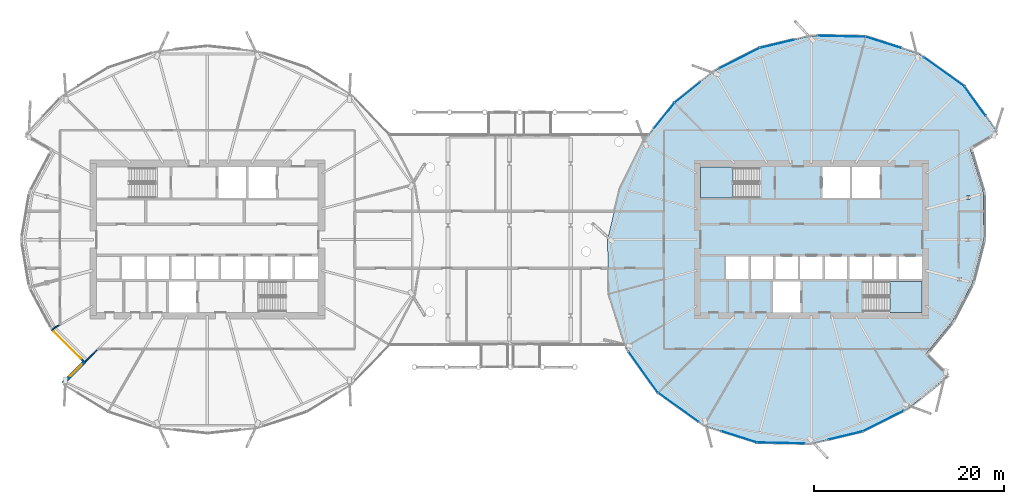
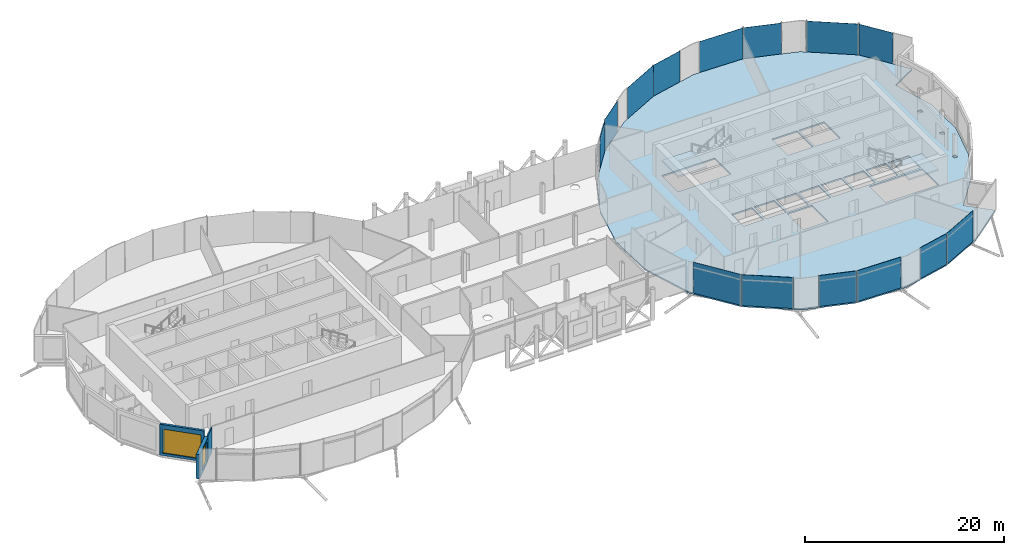
# One storey, part 23 of 39: 14 plates, 4 walls, 3 slabs, 2 windows, 2 openings, 3 elements without a shape of their own.
"""IFC4 building model written with IfcOpenShell, lengths in metres."""

from ifc_helpers import new_model, si_unit, direction, frame, frame_2d, origin, origin_2d, place, context, subcontext, project, spatial, polyline, rectangle, outline, extrude, material, layer, layer_set, type_object, element, fill, aggregate, save


model = new_model("IFC4")

# Units and contexts
model_context = context("Model", 3, precision=1e-05, world=origin(), true_north=direction((0.0, 1.0)))
body_context = subcontext(model_context, "Body", "Model", "MODEL_VIEW")
ifc_project = project(units=[si_unit("LENGTHUNIT", "METRE"), si_unit("AREAUNIT", "SQUARE_METRE"), si_unit("VOLUMEUNIT", "CUBIC_METRE"), si_unit("PLANEANGLEUNIT", "RADIAN"), si_unit("MASSUNIT", "GRAM", prefix="KILO")], contexts=[model_context])

# Site, building, storey
site_placement = place(None, origin())
site = spatial("IfcSite", under=ifc_project, at=site_placement, CompositionType="ELEMENT")
building_placement = place(site_placement, origin())
building = spatial("IfcBuilding", under=site, at=building_placement, Name="Rimbun Link Towers", CompositionType="ELEMENT")
storey_placement = place(building_placement, frame((0.0, 0.0, 143.0)))
storey = spatial("IfcBuildingStorey", under=building, at=storey_placement, Name="L34", CompositionType="ELEMENT", Elevation=143.0)

# Slab
ifc_material_1 = material(Name="Concrete C35/45", Category="concrete")
ifc_layer_1 = layer(ifc_material_1, 0.179931640625)
ifc_layer_set_1 = layer_set([ifc_layer_1], Name="COMPOSITE FLOOR 180")
slab_type_1 = type_object("IfcSlabType", Name="COMPOSITE FLOOR 180", PredefinedType="FLOOR", material=ifc_layer_set_1)
slab_1_placement = place(storey_placement, frame((0.0, 0.0, -0.179931640625)))
element("IfcSlab", 1, at=slab_1_placement, inside=storey, type_object=slab_type_1, Name="Floor slab T2 L34", PredefinedType="FLOOR", context=body_context, shape_type="SweptSolid", body=[
    extrude(outline(polyline([(41.9775390625, -17.714599609375), (37.146728515625, -20.140625), (31.75, -21.43115234375), (26.039794921875, -21.310791015625), (20.468994140625, -19.539306640625), (15.660888671875, -16.089111328125), (12.210693359375, -11.281005859375), (10.439208984375, -5.710205078125), (10.31884765625, 0.0), (11.609375, 5.396728515625), (14.035400390625, 10.2275390625), (17.384765625, 14.365234375), (21.5224609375, 17.714599609375), (26.353271484375, 20.140625), (31.75, 21.43115234375), (37.460205078125, 21.310791015625), (43.031005859375, 19.539306640625), (47.839111328125, 16.089111328125), (51.289306640625, 11.281005859375), (48.431396484375, 9.631103515625), (49.873291015625, 4.856201171875), (49.881103515625, 0.0), (48.702880859375, -4.54248046875), (46.606689453125, -8.577392578125), (43.78173828125, -12.03173828125), (46.115234375, -14.365234375), (41.9775390625, -17.714599609375)]), holes=[polyline([(30.60009765625, -7.64990234375), (30.60009765625, -4.39990234375), (27.699951171875, -4.39990234375), (27.699951171875, -7.64990234375), (30.60009765625, -7.64990234375)]), polyline([(25.138916015625, -4.14990234375), (25.138916015625, -1.75), (22.79443359375, -1.75), (22.79443359375, -4.14990234375), (25.138916015625, -4.14990234375)]), polyline([(27.7333984375, -4.14990234375), (27.7333984375, -1.75), (25.388916015625, -1.75), (25.388916015625, -4.14990234375), (27.7333984375, -4.14990234375)]), polyline([(30.327880859375, -4.14990234375), (30.327880859375, -1.75), (27.9833984375, -1.75), (27.9833984375, -4.14990234375), (30.327880859375, -4.14990234375)]), polyline([(32.922119140625, -4.14990234375), (32.922119140625, -1.75), (30.577880859375, -1.75), (30.577880859375, -4.14990234375), (32.922119140625, -4.14990234375)]), polyline([(35.5166015625, -4.14990234375), (35.5166015625, -1.75), (33.172119140625, -1.75), (33.172119140625, -4.14990234375), (35.5166015625, -4.14990234375)]), polyline([(26.239990234375, 4.39990234375), (26.239990234375, 7.64990234375), (20.10009765625, 7.64990234375), (20.10009765625, 4.39990234375), (26.239990234375, 4.39990234375)]), polyline([(35.800048828125, 4.39990234375), (35.800048828125, 7.64990234375), (32.89990234375, 7.64990234375), (32.89990234375, 4.39990234375), (35.800048828125, 4.39990234375)]), polyline([(43.39990234375, -7.64990234375), (43.39990234375, -4.39990234375), (37.260009765625, -4.39990234375), (37.260009765625, -7.64990234375), (43.39990234375, -7.64990234375)]), polyline([(47.5166015625, -4.367919921875), (47.5166015625, -3.974365234375), (47.11767578125, -3.974365234375), (47.11767578125, -4.367919921875), (47.5166015625, -4.367919921875)]), polyline([(38.111083984375, -4.14990234375), (38.111083984375, -1.75), (35.7666015625, -1.75), (35.7666015625, -4.14990234375), (38.111083984375, -4.14990234375)]), polyline([(40.70556640625, -4.14990234375), (40.70556640625, -1.75), (38.361083984375, -1.75), (38.361083984375, -4.14990234375), (40.70556640625, -4.14990234375)]), polyline([(43.39990234375, -4.14990234375), (43.39990234375, -1.75), (40.95556640625, -1.75), (40.95556640625, -4.14990234375), (43.39990234375, -4.14990234375)]), polyline([(48.435546875, -0.19677734375), (48.435546875, 0.19677734375), (48.03662109375, 0.19677734375), (48.03662109375, -0.19677734375), (48.435546875, -0.19677734375)]), polyline([(48.450927734375, 4.224609375), (48.450927734375, 4.618408203125), (48.052001953125, 4.618408203125), (48.052001953125, 4.224609375), (48.450927734375, 4.224609375)]), polyline([(38.949951171875, 4.39990234375), (38.949951171875, 7.64990234375), (36.050048828125, 7.64990234375), (36.050048828125, 4.39990234375), (38.949951171875, 4.39990234375)])]), origin(), (0.0, 0.0, 1.0), 0.179931640625),
])

# Curtain wall, plates
ifc_material_2 = material(Name="Aluminium 6063-T6 and low-iron glass", Category="aluminium")
curtain_wall_type = type_object("IfcCurtainWallType", Name="CW4 link block wall", PredefinedType="NOTDEFINED", material=ifc_material_2)
curtain_wall_placement = place(storey_placement, origin())
curtain_wall = element("IfcCurtainWall", 2, at=curtain_wall_placement, inside=storey, type_object=curtain_wall_type, Name="CW4 L34 T2", PredefinedType="NOTDEFINED")
ifc_material_3 = material(Name="Low-iron glass, laminated low-e unit", Category="glass")
ifc_layer_2 = layer(ifc_material_3, 0.028076171875)
ifc_layer_set_2 = layer_set([ifc_layer_2], Name="CW4 panel Low-iron glass 28")
plate_type = type_object("IfcPlateType", Name="CW4 panel Low-iron glass 28", PredefinedType="CURTAIN_PANEL", material=ifc_layer_set_2)
plate_1_placement = place(storey_placement, frame((45.707275390625, 17.635986328125, 0.0), z_axis=(0.0, 0.0, 1.0), x_axis=(0.81246534364, -0.58300948996, 0.0)))
plate_1 = element("IfcPlate", 3, at=plate_1_placement, type_object=plate_type, Name="CW4 panel", PredefinedType="CURTAIN_PANEL", context=body_context, shape_type="SweptSolid", body=[
    extrude(rectangle(XDim=5.22802734375, YDim=0.028076171875, at=origin_2d()), origin(), (0.0, 0.0, 1.0), 3.800048828125),
])
plate_2_placement = place(storey_placement, frame((39.344482421875, 20.726318359375, 0.0), z_axis=(0.0, 0.0, 1.0), x_axis=(0.952971600555, -0.303059612182, 0.0)))
plate_2 = element("IfcPlate", 4, at=plate_2_placement, type_object=plate_type, Name="CW4 panel", PredefinedType="CURTAIN_PANEL", context=body_context, shape_type="SweptSolid", body=[
    extrude(rectangle(XDim=3.90576171875, YDim=0.028076171875, at=origin_2d()), origin(), (0.0, 0.0, 1.0), 3.800048828125),
])
plate_3_placement = place(storey_placement, frame((34.930419921875, 21.378173828125, 0.0), z_axis=(0.0, 0.0, 1.0), x_axis=(0.999778152734, -0.021062889527, 0.0)))
plate_3 = element("IfcPlate", 5, at=plate_3_placement, type_object=plate_type, Name="CW4 panel", PredefinedType="CURTAIN_PANEL", context=body_context, shape_type="SweptSolid", body=[
    extrude(rectangle(XDim=5.021484375, YDim=0.028076171875, at=origin_2d()), origin(), (0.0, 0.0, 1.0), 3.800048828125),
])
plate_4_placement = place(storey_placement, frame((28.148681640625, 20.58447265625, 0.0), z_axis=(0.0, 0.0, 1.0), x_axis=(0.972575435448, 0.232587665973, 0.0)))
plate_4 = element("IfcPlate", 6, at=plate_4_placement, type_object=plate_type, Name="CW4 panel", PredefinedType="CURTAIN_PANEL", context=body_context, shape_type="SweptSolid", body=[
    extrude(rectangle(XDim=3.658935546875, YDim=0.028076171875, at=origin_2d()), origin(), (0.0, 0.0, 1.0), 3.800048828125),
])
plate_5_placement = place(storey_placement, frame((24.19970703125, 19.07470703125, 0.0), z_axis=(0.0, 0.0, 1.0), x_axis=(0.893641464981, 0.448781608432, 0.0)))
plate_5 = element("IfcPlate", 7, at=plate_5_placement, type_object=plate_type, Name="CW4 panel", PredefinedType="CURTAIN_PANEL", context=body_context, shape_type="SweptSolid", body=[
    extrude(rectangle(XDim=4.765869140625, YDim=0.028076171875, at=origin_2d()), origin(), (0.0, 0.0, 1.0), 3.800048828125),
])
plate_6_placement = place(storey_placement, frame((18.725830078125, 15.46875, 0.0), z_axis=(0.0, 0.0, 1.0), x_axis=(0.777276803841, 0.629158779809, 0.0)))
plate_6 = element("IfcPlate", 8, at=plate_6_placement, type_object=plate_type, Name="CW4 panel", PredefinedType="CURTAIN_PANEL", context=body_context, shape_type="SweptSolid", body=[
    extrude(rectangle(XDim=3.433349609375, YDim=0.028076171875, at=origin_2d()), origin(), (0.0, 0.0, 1.0), 3.800048828125),
])
plate_7_placement = place(storey_placement, frame((16.296875, 13.043701171875, 0.0), z_axis=(0.0, 0.0, 1.0), x_axis=(0.629158779809, 0.777276803841, 0.0)))
plate_7 = element("IfcPlate", 9, at=plate_7_placement, type_object=plate_type, Name="CW4 panel", PredefinedType="CURTAIN_PANEL", context=body_context, shape_type="SweptSolid", body=[
    extrude(rectangle(XDim=3.383544921875, YDim=0.028076171875, at=origin_2d()), origin(), (0.0, 0.0, 1.0), 3.800048828125),
])
plate_8_placement = place(storey_placement, frame((14.099365234375, -13.93701171875, 0.0), z_axis=(0.0, 0.0, 1.0), x_axis=(-0.58300948996, 0.81246534364, 0.0)))
plate_8 = element("IfcPlate", 10, at=plate_8_placement, type_object=plate_type, Name="CW4 panel", PredefinedType="CURTAIN_PANEL", context=body_context, shape_type="SweptSolid", body=[
    extrude(rectangle(XDim=5.27783203125, YDim=0.028076171875, at=origin_2d()), origin(), (0.0, 0.0, 1.0), 3.800048828125),
])
plate_9_placement = place(storey_placement, frame((17.792724609375, -17.635986328125, 0.0), z_axis=(0.0, 0.0, 1.0), x_axis=(-0.81246534364, 0.58300948996, 0.0)))
plate_9 = element("IfcPlate", 11, at=plate_9_placement, type_object=plate_type, Name="CW4 panel", PredefinedType="CURTAIN_PANEL", context=body_context, shape_type="SweptSolid", body=[
    extrude(rectangle(XDim=5.22802734375, YDim=0.028076171875, at=origin_2d()), origin(), (0.0, 0.0, 1.0), 3.800048828125),
])
plate_10_placement = place(storey_placement, frame((24.155517578125, -20.726318359375, 0.0), z_axis=(0.0, 0.0, 1.0), x_axis=(-0.952971600555, 0.303059612182, 0.0)))
plate_10 = element("IfcPlate", 12, at=plate_10_placement, type_object=plate_type, Name="CW4 panel", PredefinedType="CURTAIN_PANEL", context=body_context, shape_type="SweptSolid", body=[
    extrude(rectangle(XDim=3.90576171875, YDim=0.028076171875, at=origin_2d()), origin(), (0.0, 0.0, 1.0), 3.800048828125),
])
plate_11_placement = place(storey_placement, frame((28.569580078125, -21.378173828125, 0.0), z_axis=(0.0, 0.0, 1.0), x_axis=(-0.999778152734, 0.021062889527, 0.0)))
plate_11 = element("IfcPlate", 13, at=plate_11_placement, type_object=plate_type, Name="CW4 panel", PredefinedType="CURTAIN_PANEL", context=body_context, shape_type="SweptSolid", body=[
    extrude(rectangle(XDim=5.021484375, YDim=0.028076171875, at=origin_2d()), origin(), (0.0, 0.0, 1.0), 3.800048828125),
])
plate_12_placement = place(storey_placement, frame((35.351318359375, -20.58447265625, 0.0), z_axis=(0.0, 0.0, 1.0), x_axis=(-0.972575435448, -0.232587665973, 0.0)))
plate_12 = element("IfcPlate", 14, at=plate_12_placement, type_object=plate_type, Name="CW4 panel", PredefinedType="CURTAIN_PANEL", context=body_context, shape_type="SweptSolid", body=[
    extrude(rectangle(XDim=3.658935546875, YDim=0.028076171875, at=origin_2d()), origin(), (0.0, 0.0, 1.0), 3.800048828125),
])
plate_13_placement = place(storey_placement, frame((39.30029296875, -19.07470703125, 0.0), z_axis=(0.0, 0.0, 1.0), x_axis=(-0.893641464981, -0.448781608432, 0.0)))
plate_13 = element("IfcPlate", 15, at=plate_13_placement, type_object=plate_type, Name="CW4 panel", PredefinedType="CURTAIN_PANEL", context=body_context, shape_type="SweptSolid", body=[
    extrude(rectangle(XDim=4.765869140625, YDim=0.028076171875, at=origin_2d()), origin(), (0.0, 0.0, 1.0), 3.800048828125),
])
plate_14_placement = place(storey_placement, frame((48.96337890625, 14.54638671875, 0.0), z_axis=(0.0, 0.0, 1.0), x_axis=(0.58300948996, -0.81246534364, 0.0)))
plate_14 = element("IfcPlate", 16, at=plate_14_placement, type_object=plate_type, Name="CW4 panel", PredefinedType="CURTAIN_PANEL", context=body_context, shape_type="SweptSolid", body=[
    extrude(rectangle(XDim=3.77783203125, YDim=0.028076171875, at=origin_2d()), origin(), (0.0, 0.0, 1.0), 3.800048828125),
])
aggregate(curtain_wall, [plate_1, plate_2, plate_3, plate_4, plate_5, plate_6, plate_7, plate_8, plate_9, plate_10, plate_11, plate_12, plate_13, plate_14])

# Stair, slab
ifc_material_4 = material(Name="Concrete C40/50", Category="concrete")
stair_type = type_object("IfcStairType", Name="Exit stair 3800 rise", PredefinedType="HALF_TURN_STAIR", material=ifc_material_4)
stair_1_placement = place(storey_placement, origin())
stair_1 = element("IfcStair", 17, at=stair_1_placement, inside=storey, type_object=stair_type, Name="L34 EXIT STAIR A", PredefinedType="HALF_TURN_STAIR")
ifc_material_5 = material(Name="Concrete C40/50", Category="concrete")
ifc_layer_3 = layer(ifc_material_5, 0.199951171875)
ifc_layer_set_3 = layer_set([ifc_layer_3], Name="Stair landing")
slab_type_2 = type_object("IfcSlabType", Name="Stair landing", PredefinedType="LANDING", material=ifc_layer_set_3)
slab_2_placement = place(storey_placement, frame((0.0, 0.0, 1.699951171875)))
slab_2 = element("IfcSlab", 18, at=slab_2_placement, type_object=slab_type_2, Name="ST3 landing 1", PredefinedType="LANDING", context=body_context, shape_type="SweptSolid", body=[
    extrude(outline(polyline([(23.5, 7.64990234375), (20.10009765625, 7.64990234375), (20.10009765625, 4.39990234375), (23.5, 4.39990234375), (23.5, 7.64990234375)])), origin(), (0.0, 0.0, 1.0), 0.199951171875),
])
aggregate(stair_1, [slab_2])

stair_2_placement = place(storey_placement, origin())
stair_2 = element("IfcStair", 19, at=stair_2_placement, inside=storey, type_object=stair_type, Name="L34 EXIT STAIR B", PredefinedType="HALF_TURN_STAIR")
slab_3_placement = place(storey_placement, frame((0.0, 0.0, 1.699951171875)))
slab_3 = element("IfcSlab", 20, at=slab_3_placement, type_object=slab_type_2, Name="ST4 landing 1", PredefinedType="LANDING", context=body_context, shape_type="SweptSolid", body=[
    extrude(outline(polyline([(40.0, -7.64990234375), (43.39990234375, -7.64990234375), (43.39990234375, -4.39990234375), (40.0, -4.39990234375), (40.0, -7.64990234375)])), origin(), (0.0, 0.0, 1.0), 0.199951171875),
])
aggregate(stair_2, [slab_3])

# Wall, opening, window
ifc_material_6 = material(Name="Dark enamelled glass spandrel on insulated aluminium backpan", Category="aluminium")
ifc_layer_4 = layer(ifc_material_6, 0.25)
ifc_layer_set_4 = layer_set([ifc_layer_4], Name="CS dark enamelled spandrel wall 250")
wall_type_1 = type_object("IfcWallType", Name="CS dark enamelled spandrel wall 250", PredefinedType="STANDARD", material=ifc_layer_set_4)
wall_1_placement = place(storey_placement, frame((-44.835693359375, -12.73193359375, 0.0), z_axis=(0.0, 0.0, 1.0), x_axis=(-0.705970868874, 0.708240871668, 0.0)))
wall_1 = element("IfcWall", 21, at=wall_1_placement, inside=storey, type_object=wall_type_1, Name="Crease spandrel wall", PredefinedType="STANDARD", context=body_context, shape_type="SweptSolid", body=[
    extrude(rectangle(XDim=4.624755859375, YDim=0.25, at=frame_2d((2.3125, 0.0))), origin(), (0.0, 0.0, 1.0), 3.800048828125),
])
opening_1_placement = place(wall_1_placement, frame((0.3125, 0.0, 0.300048828125)))
opening_1 = element("IfcOpeningElement", 22, at=opening_1_placement, cuts=wall_1, Name="Opening WR40H295", PredefinedType="OPENING", context=body_context, shape_type="SweptSolid", body=[
    extrude(rectangle(XDim=4.0, YDim=2.949951171875, at=frame_2d((2.0, 1.47509765625))), frame((0.0, 0.135009765625, 0.0), z_axis=(0.0, -1.0, 0.0), x_axis=(1.0, 0.0, 0.0)), (0.0, 0.0, 1.0), 0.27001953125),
])
ifc_material_7 = material(Name="Aluminium framed fixed window, dark tinted low-e glass", Category="aluminium")
window_type_1 = type_object("IfcWindowType", Name="WR ribbon window 4000X2950", PartitioningType="SINGLE_PANEL", PredefinedType="WINDOW", material=ifc_material_7)
window_1_placement = place(opening_1_placement, origin())
window_1 = element("IfcWindow", 23, at=window_1_placement, inside=storey, type_object=window_type_1, Name="Crease ribbon window", OverallHeight=2.949951171875, OverallWidth=4.0, PartitioningType="SINGLE_PANEL", PredefinedType="WINDOW", context=body_context, shape_type="SweptSolid", body=[
    extrude(rectangle(XDim=4.0, YDim=2.949951171875, at=frame_2d((2.0, 1.47509765625))), frame((0.0, 0.030029296875, 0.0), z_axis=(0.0, -1.0, 0.0), x_axis=(1.0, 0.0, 0.0)), (0.0, 0.0, 1.0), 0.06005859375),
])
fill(opening_1, window_1)

ifc_material_8 = material(Name="Dark enamelled glass spandrel on insulated aluminium backpan", Category="aluminium")
ifc_layer_5 = layer(ifc_material_8, 0.3701171875)
ifc_layer_set_5 = layer_set([ifc_layer_5], Name="CS dark enamelled spandrel wall 370")
wall_type_2 = type_object("IfcWallType", Name="CS dark enamelled spandrel wall 370", PredefinedType="STANDARD", material=ifc_layer_set_5)
wall_2_placement = place(storey_placement, frame((-46.93603515625, -15.093994140625, 0.0), z_axis=(0.0, 0.0, 1.0), x_axis=(0.707106781187, 0.707106781187, 0.0)))
wall_2 = element("IfcWall", 24, at=wall_2_placement, inside=storey, type_object=wall_type_2, Name="Crease spandrel wall", PredefinedType="STANDARD", context=body_context, shape_type="SweptSolid", body=[
    extrude(rectangle(XDim=3.280029296875, YDim=0.3701171875, at=frame_2d((1.64013671875, 0.0))), origin(), (0.0, 0.0, 1.0), 3.00732421875),
])
opening_2_placement = place(wall_2_placement, frame((1.046142578125, 0.0, 0.300048828125)))
opening_2 = element("IfcOpeningElement", 25, at=opening_2_placement, cuts=wall_2, Name="Opening WR18H245", PredefinedType="OPENING", context=body_context, shape_type="SweptSolid", body=[
    extrude(rectangle(XDim=1.75, YDim=2.449951171875, at=frame_2d((0.875, 1.22509765625))), frame((0.0, 0.195068359375, 0.0), z_axis=(0.0, -1.0, 0.0), x_axis=(1.0, 0.0, 0.0)), (0.0, 0.0, 1.0), 0.39013671875),
])
ifc_material_9 = material(Name="Aluminium framed fixed window, dark tinted low-e glass", Category="aluminium")
window_type_2 = type_object("IfcWindowType", Name="WR ribbon window 1750X2450", PartitioningType="SINGLE_PANEL", PredefinedType="WINDOW", material=ifc_material_9)
window_2_placement = place(opening_2_placement, origin())
window_2 = element("IfcWindow", 26, at=window_2_placement, inside=storey, type_object=window_type_2, Name="Crease ribbon window", OverallHeight=2.449951171875, OverallWidth=1.75, PartitioningType="SINGLE_PANEL", PredefinedType="WINDOW", context=body_context, shape_type="SweptSolid", body=[
    extrude(rectangle(XDim=1.75, YDim=2.449951171875, at=frame_2d((0.875, 1.22509765625))), frame((0.0, 0.030029296875, 0.0), z_axis=(0.0, -1.0, 0.0), x_axis=(1.0, 0.0, 0.0)), (0.0, 0.0, 1.0), 0.06005859375),
])
fill(opening_2, window_2)

# Walls
ifc_material_10 = material(Name="Gypsum board on steel studs", Category="steel")
ifc_layer_6 = layer(ifc_material_10, 0.125)
ifc_layer_set_6 = layer_set([ifc_layer_6], Name="Partition 125 board on studs")
wall_type_3 = type_object("IfcWallType", Name="Partition 125 board on studs", PredefinedType="PARTITIONING", material=ifc_layer_set_6)
wall_3_placement = place(storey_placement, frame((-47.34375, -9.003173828125, 0.0), z_axis=(0.0, 0.0, 1.0), x_axis=(-0.866110364569, -0.499852814723, 0.0)))
element("IfcWall", 27, at=wall_3_placement, inside=storey, type_object=wall_type_3, Name="TW/PW/L34/009", PredefinedType="PARTITIONING", context=body_context, shape_type="SweptSolid", body=[
    extrude(rectangle(XDim=0.756591796875, YDim=0.125, at=frame_2d((0.37841796875, 0.0))), origin(), (0.0, 0.0, 1.0), 3.194091796875),
])
wall_4_placement = place(storey_placement, frame((-44.584716796875, -12.834716796875, 0.0), z_axis=(0.0, 0.0, 1.0), x_axis=(0.707106781187, 0.707106781187, 0.0)))
element("IfcWall", 28, at=wall_4_placement, inside=storey, type_object=wall_type_3, Name="TW/PW/L34/011", PredefinedType="PARTITIONING", context=body_context, shape_type="SweptSolid", body=[
    extrude(rectangle(XDim=1.736572265625, YDim=0.125, at=frame_2d((0.8681640625, 0.0))), origin(), (0.0, 0.0, 1.0), 2.9970703125),
])

save(model, "model.ifc")
